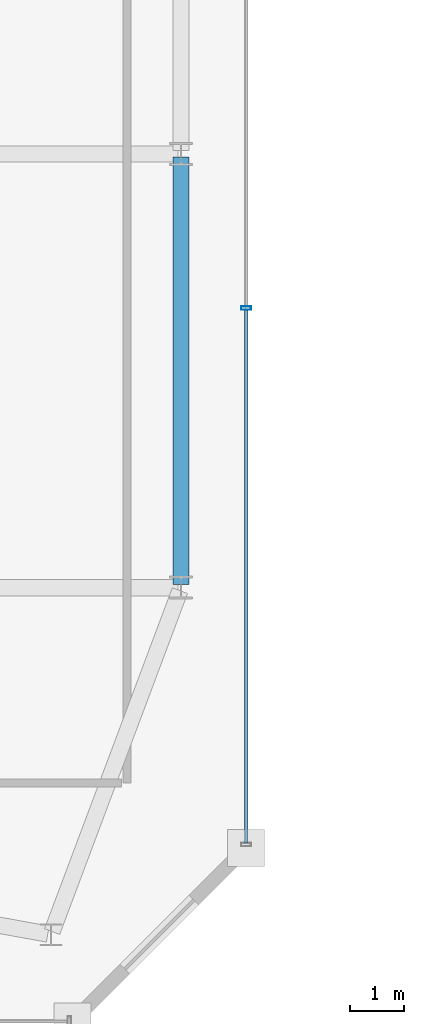
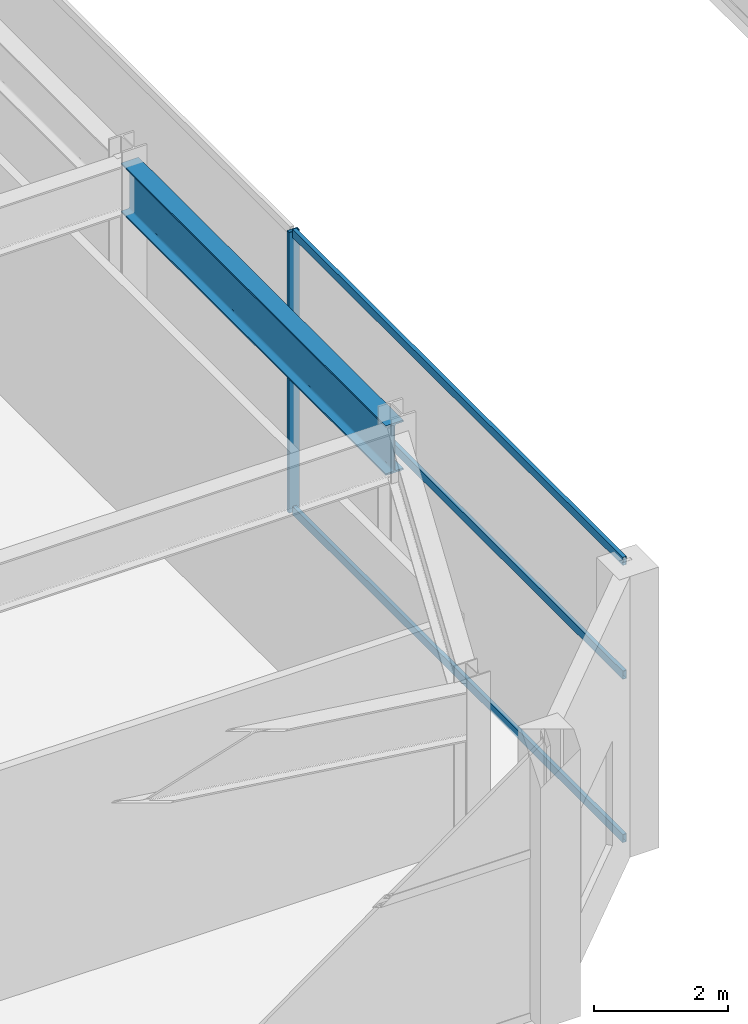
# One storey, part 18 of 51: 4 members, 1 beam, 1 element without a shape of its own.
"""IFC4 building model written with IfcOpenShell, lengths in metres."""

from ifc_helpers import new_model, si_unit, direction, frame, origin, origin_2d, place, context, subcontext, project, spatial, hollow_rectangle, i_section, extrude, material, material_profile, profile_set, type_object, element, aggregate, save


model = new_model("IFC4")

# Units and contexts
model_context = context("Model", 3, precision=1e-05, world=origin(), true_north=direction((0.0, 1.0)))
body_context = subcontext(model_context, "Body", "Model", "MODEL_VIEW")
ifc_project = project(units=[si_unit("LENGTHUNIT", "METRE"), si_unit("AREAUNIT", "SQUARE_METRE"), si_unit("VOLUMEUNIT", "CUBIC_METRE"), si_unit("PLANEANGLEUNIT", "RADIAN"), si_unit("MASSUNIT", "GRAM", prefix="KILO")], contexts=[model_context])

# Site, building, storey
site_placement = place(None, origin())
site = spatial("IfcSite", under=ifc_project, at=site_placement, CompositionType="ELEMENT")
building_placement = place(site_placement, origin())
building = spatial("IfcBuilding", under=site, at=building_placement, Name="Saevonmaru Cultural Tower", CompositionType="ELEMENT")
storey_placement = place(building_placement, frame((0.0, 0.0, 6.0)))
storey = spatial("IfcBuildingStorey", under=building, at=storey_placement, Name="L01", CompositionType="ELEMENT", Elevation=6.0)

# Beam
ifc_material_1 = material(Name="Steel SM420", Category="steel")
ifc_material_profile_1 = material_profile(ifc_material_1, i_section(OverallWidth=0.300048828125, OverallDepth=0.89990234375, WebThickness=0.01611328125, FlangeThickness=0.028076171875, FilletRadius=0.028076171875, at=origin_2d()), Name="H-900x300x16x28")
ifc_profile_set_1 = profile_set([ifc_material_profile_1], Name="Steel SM420")
beam_type = type_object("IfcBeamType", Name="BM-G-H900", PredefinedType="BEAM", material=ifc_profile_set_1)
beam_placement = place(storey_placement, frame((58.800048828125, 8.06005859375, 4.64990234375), z_axis=(0.0, 1.0, 0.0), x_axis=(-1.0, 0.0, 0.0)))
element("IfcBeam", 1, at=beam_placement, inside=storey, type_object=beam_type, Name="BM-POD-PE-1-L01", PredefinedType="BEAM", context=body_context, shape_type="SweptSolid", body=[
    extrude(i_section(OverallWidth=0.300048828125, OverallDepth=0.89990234375, WebThickness=0.01611328125, FlangeThickness=0.028076171875, FilletRadius=0.028076171875, at=origin_2d()), origin(), (0.0, 0.0, 1.0), 7.8798828125),
])

# Curtain wall, members
ifc_material_2 = material(Name="Satin Bronze Anodised Aluminium", Category="aluminium")
curtain_wall_type = type_object("IfcCurtainWallType", Name="CW-POD-GLZ", PredefinedType="NOTDEFINED", material=ifc_material_2)
curtain_wall_placement = place(storey_placement, origin())
curtain_wall = element("IfcCurtainWall", 2, at=curtain_wall_placement, inside=storey, type_object=curtain_wall_type, Name="L01 Saevon Plaza Curtain Wall", PredefinedType="NOTDEFINED")
ifc_material_profile_2 = material_profile(ifc_material_2, hollow_rectangle(XDim=0.06494140625, YDim=0.179931640625, WallThickness=0.00390625, at=origin_2d()), Name="ALU-MULL-180x65x4")
ifc_profile_set_2 = profile_set([ifc_material_profile_2], Name="Satin Bronze Anodised Aluminium")
member_type_1 = type_object("IfcMemberType", Name="ML-CW-180x65", PredefinedType="MULLION", material=ifc_profile_set_2)
member_1_placement = place(storey_placement, frame((60.0, 13.156005859375, 0.0), z_axis=(0.0, 0.0, 1.0), x_axis=(0.0, 1.0, 0.0)))
member_1 = element("IfcMember", 3, at=member_1_placement, type_object=member_type_1, Name="CW-POD-E-L01 mullion 2", PredefinedType="MULLION", context=body_context, shape_type="SweptSolid", body=[
    extrude(hollow_rectangle(XDim=0.06494140625, YDim=0.179931640625, WallThickness=0.00390625, at=origin_2d()), origin(), (0.0, 0.0, 1.0), 5.10009765625),
])
ifc_material_profile_3 = material_profile(ifc_material_2, hollow_rectangle(XDim=0.06494140625, YDim=0.14990234375, WallThickness=0.00390625, at=origin_2d()), Name="ALU-TRAN-150x65x4")
ifc_profile_set_3 = profile_set([ifc_material_profile_3], Name="Satin Bronze Anodised Aluminium")
member_type_2 = type_object("IfcMemberType", Name="TR-CW-150x65", PredefinedType="USERDEFINED", material=ifc_profile_set_3)
member_2_placement = place(storey_placement, frame((60.0, 3.29248046875, 0.032470703125), z_axis=(0.0, 1.0, 0.0), x_axis=(-1.0, 0.0, 0.0)))
member_2 = element("IfcMember", 4, at=member_2_placement, type_object=member_type_2, Name="CW-POD-E-L01 transom 1.1", ObjectType="TRANSOM", PredefinedType="USERDEFINED", context=body_context, shape_type="SweptSolid", body=[
    extrude(hollow_rectangle(XDim=0.06494140625, YDim=0.14990234375, WallThickness=0.00390625, at=origin_2d()), origin(), (0.0, 0.0, 1.0), 9.8310546875),
])
member_3_placement = place(storey_placement, frame((60.0, 3.29248046875, 3.0), z_axis=(0.0, 1.0, 0.0), x_axis=(-1.0, 0.0, 0.0)))
member_3 = element("IfcMember", 5, at=member_3_placement, type_object=member_type_2, Name="CW-POD-E-L01 transom 1.2", ObjectType="TRANSOM", PredefinedType="USERDEFINED", context=body_context, shape_type="SweptSolid", body=[
    extrude(hollow_rectangle(XDim=0.06494140625, YDim=0.14990234375, WallThickness=0.00390625, at=origin_2d()), origin(), (0.0, 0.0, 1.0), 9.8310546875),
])
member_4_placement = place(storey_placement, frame((60.0, 3.29248046875, 5.0673828125), z_axis=(0.0, 1.0, 0.0), x_axis=(-1.0, 0.0, 0.0)))
member_4 = element("IfcMember", 6, at=member_4_placement, type_object=member_type_2, Name="CW-POD-E-L01 transom 1.3", ObjectType="TRANSOM", PredefinedType="USERDEFINED", context=body_context, shape_type="SweptSolid", body=[
    extrude(hollow_rectangle(XDim=0.06494140625, YDim=0.14990234375, WallThickness=0.00390625, at=origin_2d()), origin(), (0.0, 0.0, 1.0), 9.8310546875),
])
aggregate(curtain_wall, [member_1, member_2, member_3, member_4])

save(model, "model.ifc")
